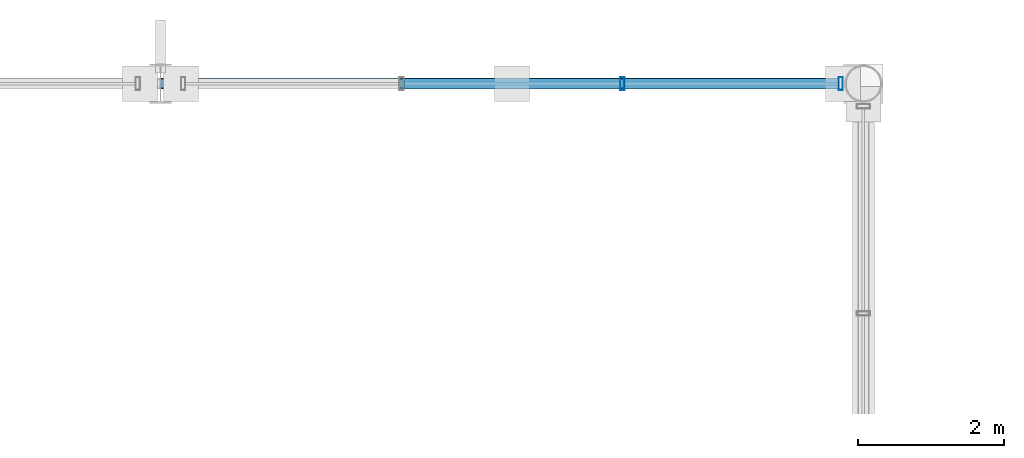
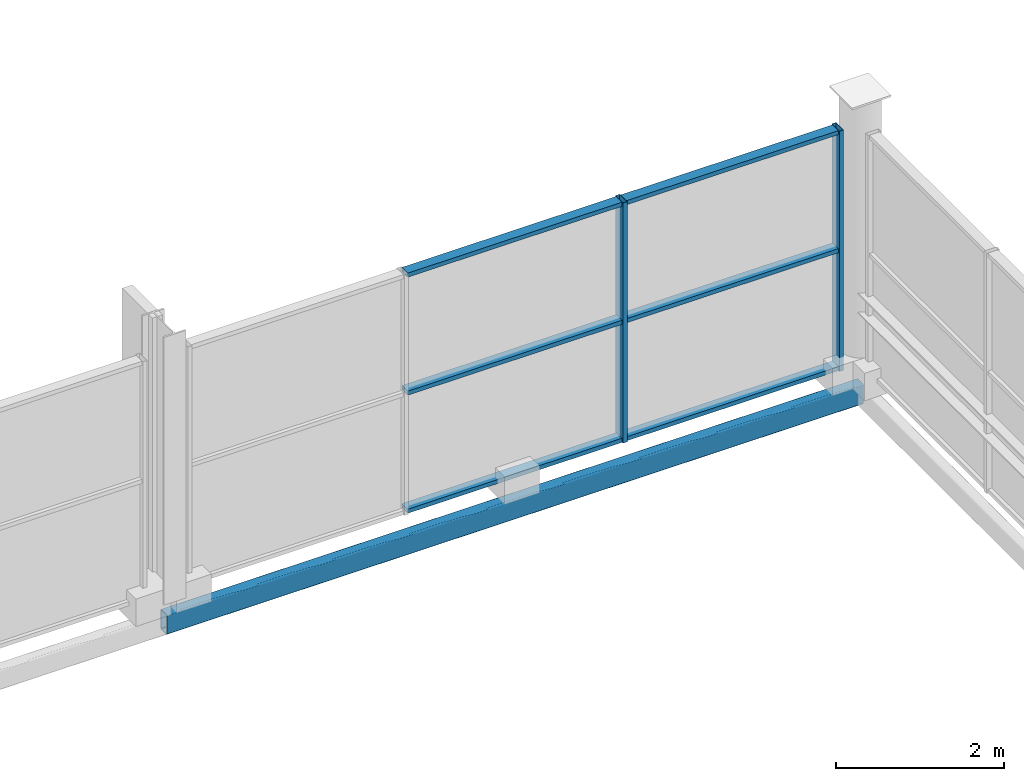
# One storey, part 63 of 117: 8 members, 1 beam, 1 element without a shape of its own.
"""IFC4 building model written with IfcOpenShell, lengths in metres."""

from ifc_helpers import new_model, si_unit, direction, frame, origin, origin_2d, place, context, subcontext, project, spatial, hollow_rectangle, extrude, material, material_profile, profile_set, type_object, element, aggregate, save


model = new_model("IFC4")

# Units and contexts
model_context = context("Model", 3, precision=1e-05, world=origin(), true_north=direction((0.0, 1.0)))
body_context = subcontext(model_context, "Body", "Model", "MODEL_VIEW")
ifc_project = project(units=[si_unit("LENGTHUNIT", "METRE"), si_unit("AREAUNIT", "SQUARE_METRE"), si_unit("VOLUMEUNIT", "CUBIC_METRE"), si_unit("PLANEANGLEUNIT", "RADIAN"), si_unit("MASSUNIT", "GRAM", prefix="KILO")], contexts=[model_context])

# Site, building, storey
site_placement = place(None, origin())
site = spatial("IfcSite", under=ifc_project, at=site_placement, CompositionType="ELEMENT")
building_placement = place(site_placement, origin())
building = spatial("IfcBuilding", under=site, at=building_placement, Name="Merenkruunu Market Hall", CompositionType="ELEMENT")
storey_placement = place(building_placement, frame((0.0, 0.0, 10.199951171875)))
storey = spatial("IfcBuildingStorey", under=building, at=storey_placement, Name="L02", CompositionType="ELEMENT", Elevation=10.199951171875)

# Curtain wall, members
ifc_material_1 = material(Name="Powder-coated aluminium", Category="aluminium")
curtain_wall_type = type_object("IfcCurtainWallType", Name="Glazed Curtain Wall CW10", PredefinedType="USERDEFINED", material=ifc_material_1)
curtain_wall_placement = place(storey_placement, origin())
curtain_wall = element("IfcCurtainWall", 1, at=curtain_wall_placement, inside=storey, type_object=curtain_wall_type, Name="CW-L02-CWM02-066", ObjectType="GLAZED_FACADE", PredefinedType="USERDEFINED")
ifc_material_profile_1 = material_profile(ifc_material_1, hollow_rectangle(XDim=0.06005859375, YDim=0.179931640625, WallThickness=0.00390625, at=origin_2d()), Name="ALU 60x180x4")
ifc_profile_set_1 = profile_set([ifc_material_profile_1], Name="Powder-coated aluminium")
member_type_1 = type_object("IfcMemberType", Name="Curtain Wall Mullion CWM02", PredefinedType="MULLION", material=ifc_profile_set_1)
member_1_placement = place(storey_placement, frame((54.306640625, 111.60009765625, 0.0), z_axis=(0.0, 0.0, 1.0), x_axis=(1.0, 0.0, 0.0)))
member_1 = element("IfcMember", 2, at=member_1_placement, type_object=member_type_1, Name="CW10 mullion 3", PredefinedType="MULLION", context=body_context, shape_type="SweptSolid", body=[
    extrude(hollow_rectangle(XDim=0.06005859375, YDim=0.179931640625, WallThickness=0.00390625, at=origin_2d()), origin(), (0.0, 0.0, 1.0), 3.5),
])
member_2_placement = place(storey_placement, frame((57.2900390625, 111.60009765625, 0.0), z_axis=(0.0, 0.0, 1.0), x_axis=(1.0, 0.0, 0.0)))
member_2 = element("IfcMember", 3, at=member_2_placement, type_object=member_type_1, Name="CW10 mullion 4", PredefinedType="MULLION", context=body_context, shape_type="SweptSolid", body=[
    extrude(hollow_rectangle(XDim=0.06005859375, YDim=0.179931640625, WallThickness=0.00390625, at=origin_2d()), origin(), (0.0, 0.0, 1.0), 3.5),
])
ifc_material_profile_2 = material_profile(ifc_material_1, hollow_rectangle(XDim=0.06005859375, YDim=0.139892578125, WallThickness=0.00390625, at=origin_2d()), Name="ALU 60x140x4")
ifc_profile_set_2 = profile_set([ifc_material_profile_2], Name="Powder-coated aluminium")
member_type_2 = type_object("IfcMemberType", Name="Curtain Wall Transom CWT02", PredefinedType="USERDEFINED", material=ifc_profile_set_2)
member_3_placement = place(storey_placement, frame((51.3232421875, 111.60009765625, 0.030029296875), z_axis=(1.0, 0.0, 0.0), x_axis=(0.0, 0.0, 1.0)))
member_3 = element("IfcMember", 4, at=member_3_placement, type_object=member_type_2, Name="CW10 transom 2.1", ObjectType="TRANSOM", PredefinedType="USERDEFINED", context=body_context, shape_type="SweptSolid", body=[
    extrude(hollow_rectangle(XDim=0.06005859375, YDim=0.139892578125, WallThickness=0.00390625, at=origin_2d()), origin(), (0.0, 0.0, 1.0), 2.953369140625),
])
member_4_placement = place(storey_placement, frame((51.3232421875, 111.60009765625, 1.75), z_axis=(1.0, 0.0, 0.0), x_axis=(0.0, 0.0, 1.0)))
member_4 = element("IfcMember", 5, at=member_4_placement, type_object=member_type_2, Name="CW10 transom 2.2", ObjectType="TRANSOM", PredefinedType="USERDEFINED", context=body_context, shape_type="SweptSolid", body=[
    extrude(hollow_rectangle(XDim=0.06005859375, YDim=0.139892578125, WallThickness=0.00390625, at=origin_2d()), origin(), (0.0, 0.0, 1.0), 2.953369140625),
])
member_5_placement = place(storey_placement, frame((51.3232421875, 111.60009765625, 3.469970703125), z_axis=(1.0, 0.0, 0.0), x_axis=(0.0, 0.0, 1.0)))
member_5 = element("IfcMember", 6, at=member_5_placement, type_object=member_type_2, Name="CW10 transom 2.3", ObjectType="TRANSOM", PredefinedType="USERDEFINED", context=body_context, shape_type="SweptSolid", body=[
    extrude(hollow_rectangle(XDim=0.06005859375, YDim=0.139892578125, WallThickness=0.00390625, at=origin_2d()), origin(), (0.0, 0.0, 1.0), 2.953369140625),
])
member_6_placement = place(storey_placement, frame((54.336669921875, 111.60009765625, 0.030029296875), z_axis=(1.0, 0.0, 0.0), x_axis=(0.0, 0.0, 1.0)))
member_6 = element("IfcMember", 7, at=member_6_placement, type_object=member_type_2, Name="CW10 transom 3.1", ObjectType="TRANSOM", PredefinedType="USERDEFINED", context=body_context, shape_type="SweptSolid", body=[
    extrude(hollow_rectangle(XDim=0.06005859375, YDim=0.139892578125, WallThickness=0.00390625, at=origin_2d()), origin(), (0.0, 0.0, 1.0), 2.92333984375),
])
member_7_placement = place(storey_placement, frame((54.336669921875, 111.60009765625, 1.75), z_axis=(1.0, 0.0, 0.0), x_axis=(0.0, 0.0, 1.0)))
member_7 = element("IfcMember", 8, at=member_7_placement, type_object=member_type_2, Name="CW10 transom 3.2", ObjectType="TRANSOM", PredefinedType="USERDEFINED", context=body_context, shape_type="SweptSolid", body=[
    extrude(hollow_rectangle(XDim=0.06005859375, YDim=0.139892578125, WallThickness=0.00390625, at=origin_2d()), origin(), (0.0, 0.0, 1.0), 2.92333984375),
])
member_8_placement = place(storey_placement, frame((54.336669921875, 111.60009765625, 3.469970703125), z_axis=(1.0, 0.0, 0.0), x_axis=(0.0, 0.0, 1.0)))
member_8 = element("IfcMember", 9, at=member_8_placement, type_object=member_type_2, Name="CW10 transom 3.3", ObjectType="TRANSOM", PredefinedType="USERDEFINED", context=body_context, shape_type="SweptSolid", body=[
    extrude(hollow_rectangle(XDim=0.06005859375, YDim=0.139892578125, WallThickness=0.00390625, at=origin_2d()), origin(), (0.0, 0.0, 1.0), 2.92333984375),
])
aggregate(curtain_wall, [member_1, member_2, member_3, member_4, member_5, member_6, member_7, member_8])

# Beam
ifc_material_2 = material(Name="Steel S355J2", Category="steel")
ifc_material_profile_3 = material_profile(ifc_material_2, hollow_rectangle(XDim=0.14990234375, YDim=0.300048828125, WallThickness=0.012451171875, InnerFilletRadius=0.012451171875, OuterFilletRadius=0.02490234375, at=origin_2d()), Name="RHS 300x150x12.5")
ifc_profile_set_3 = profile_set([ifc_material_profile_3], Name="Steel S355J2")
beam_type = type_object("IfcBeamType", Name="Perimeter Spandrel Beam SP03", PredefinedType="SPANDREL", material=ifc_profile_set_3)
beam_placement = place(storey_placement, frame((48.0, 111.60009765625, -0.4599609375), z_axis=(1.0, 0.0, 0.0), x_axis=(0.0, 1.0, 0.0)))
element("IfcBeam", 10, at=beam_placement, inside=storey, type_object=beam_type, Name="BM-L02-SP03-1258", PredefinedType="SPANDREL", context=body_context, shape_type="SweptSolid", body=[
    extrude(hollow_rectangle(XDim=0.14990234375, YDim=0.300048828125, WallThickness=0.012451171875, InnerFilletRadius=0.012451171875, OuterFilletRadius=0.02490234375, at=origin_2d()), origin(), (0.0, 0.0, 1.0), 9.60009765625),
])

save(model, "model.ifc")
